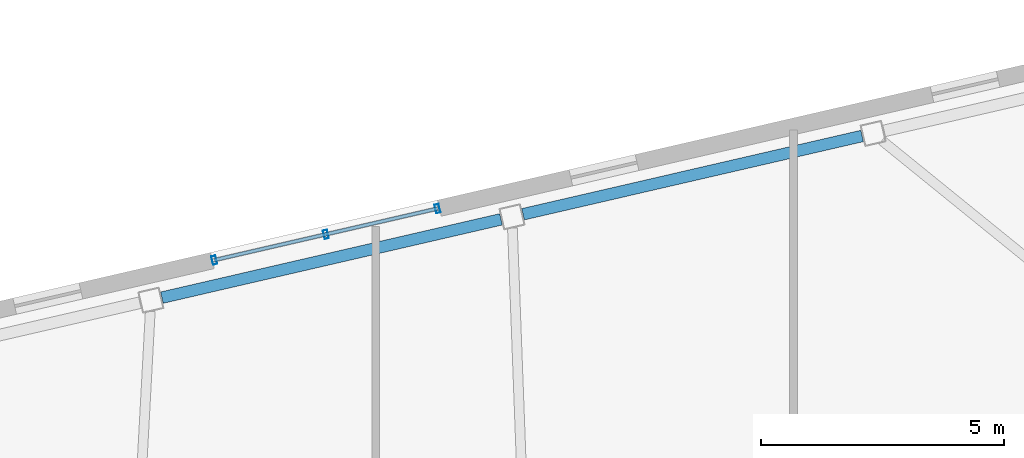
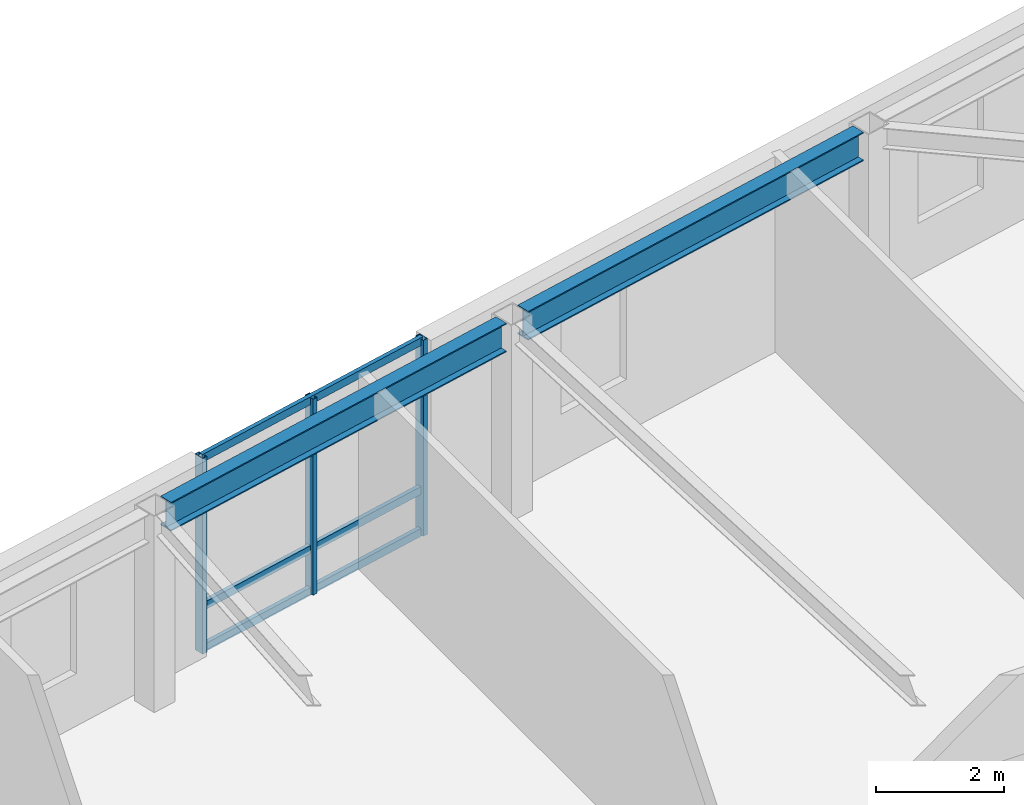
# One storey, part 14 of 24: 6 members, 2 beams, 1 element without a shape of its own.
"""IFC4 building model written with IfcOpenShell, lengths in metres."""

from ifc_helpers import new_model, si_unit, direction, frame, origin, origin_2d, place, context, subcontext, project, spatial, hollow_rectangle, i_section, extrude, material, layer, layer_set, material_profile, profile_set, type_object, element, aggregate, save


model = new_model("IFC4")

# Units and contexts
model_context = context("Model", 3, precision=1e-05, world=origin(), true_north=direction((0.0, 1.0)))
body_context = subcontext(model_context, "Body", "Model", "MODEL_VIEW")
ifc_project = project(units=[si_unit("LENGTHUNIT", "METRE"), si_unit("AREAUNIT", "SQUARE_METRE"), si_unit("VOLUMEUNIT", "CUBIC_METRE"), si_unit("PLANEANGLEUNIT", "RADIAN"), si_unit("MASSUNIT", "GRAM", prefix="KILO")], contexts=[model_context])

# Site, building, storey
site_placement = place(None, origin())
site = spatial("IfcSite", under=ifc_project, at=site_placement, CompositionType="ELEMENT")
building_placement = place(site_placement, origin())
building = spatial("IfcBuilding", under=site, at=building_placement, Name="Tavrogorsk Clinical Tower", CompositionType="ELEMENT")
storey_placement = place(building_placement, frame((0.0, 0.0, 325.0)))
storey = spatial("IfcBuildingStorey", under=building, at=storey_placement, Name="L76", CompositionType="ELEMENT", Elevation=325.0)

# Curtain wall, members
ifc_material_1 = material(Name="Anodised aluminium and triple IGU glazing", Category="aluminium")
ifc_layer = layer(ifc_material_1, 0.179931640625)
ifc_layer_set = layer_set([ifc_layer], Name="Anodised aluminium and triple IGU glazing")
curtain_wall_type = type_object("IfcCurtainWallType", Name="CW2_NorthSlot", PredefinedType="NOTDEFINED", material=ifc_layer_set)
curtain_wall_placement = place(storey_placement, origin())
curtain_wall = element("IfcCurtainWall", 1, at=curtain_wall_placement, inside=storey, type_object=curtain_wall_type, Name="L76 Curtain Wall CW-L76-N-SLOT-2", PredefinedType="NOTDEFINED")
ifc_material_2 = material(Name="Anodised aluminium alloy AW-6060", Category="aluminium")
ifc_material_profile_1 = material_profile(ifc_material_2, hollow_rectangle(XDim=0.090087890625, YDim=0.179931640625, WallThickness=0.00634765625, at=origin_2d()), Name="RHS-180x90x6.3")
ifc_profile_set_1 = profile_set([ifc_material_profile_1], Name="Anodised aluminium alloy AW-6060")
member_type_1 = type_object("IfcMemberType", Name="CwMullion_180x90", PredefinedType="MULLION", material=ifc_profile_set_1)
member_1_placement = place(storey_placement, frame((2.26904296875, 22.400634765625, 0.0), z_axis=(0.0, 0.0, 1.0), x_axis=(-0.974370092441, -0.224950934554, 0.0)))
member_1 = element("IfcMember", 2, at=member_1_placement, type_object=member_type_1, Name="CW-L76-N-SLOT-2 Mullion 1", PredefinedType="MULLION", context=body_context, shape_type="SweptSolid", body=[
    extrude(hollow_rectangle(XDim=0.090087890625, YDim=0.179931640625, WallThickness=0.00634765625, at=origin_2d()), origin(), (0.0, 0.0, 1.0), 3.739990234375),
])
member_2_placement = place(storey_placement, frame((-0.029541015625, 21.869873046875, 0.0), z_axis=(0.0, 0.0, 1.0), x_axis=(-0.974370092441, -0.224950934554, 0.0)))
member_2 = element("IfcMember", 3, at=member_2_placement, type_object=member_type_1, Name="CW-L76-N-SLOT-2 Mullion 2", PredefinedType="MULLION", context=body_context, shape_type="SweptSolid", body=[
    extrude(hollow_rectangle(XDim=0.090087890625, YDim=0.179931640625, WallThickness=0.00634765625, at=origin_2d()), origin(), (0.0, 0.0, 1.0), 3.739990234375),
])
member_3_placement = place(storey_placement, frame((-2.328125, 21.339111328125, 0.0), z_axis=(0.0, 0.0, 1.0), x_axis=(-0.974370092441, -0.224950934554, 0.0)))
member_3 = element("IfcMember", 4, at=member_3_placement, type_object=member_type_1, Name="CW-L76-N-SLOT-2 Mullion 3", PredefinedType="MULLION", context=body_context, shape_type="SweptSolid", body=[
    extrude(hollow_rectangle(XDim=0.090087890625, YDim=0.179931640625, WallThickness=0.00634765625, at=origin_2d()), origin(), (0.0, 0.0, 1.0), 3.739990234375),
])
ifc_material_3 = material(Name="Anodised aluminium alloy AW-6060", Category="aluminium")
ifc_material_profile_2 = material_profile(ifc_material_3, hollow_rectangle(XDim=0.074951171875, YDim=0.14990234375, WallThickness=0.0048828125, at=origin_2d()), Name="RHS-150x75x5")
ifc_profile_set_2 = profile_set([ifc_material_profile_2], Name="Anodised aluminium alloy AW-6060")
member_type_2 = type_object("IfcMemberType", Name="CwTransom_150x75", PredefinedType="USERDEFINED", material=ifc_profile_set_2)
member_4_placement = place(storey_placement, frame((2.26904296875, 22.400634765625, 0.050048828125), z_axis=(-0.974361535497, -0.224987995557, 0.0), x_axis=(0.224987995557, -0.974361535497, 0.0)))
member_4 = element("IfcMember", 5, at=member_4_placement, type_object=member_type_2, Name="CW-L76-N-SLOT-2 Transom 1", ObjectType="TRANSOM", PredefinedType="USERDEFINED", context=body_context, shape_type="SweptSolid", body=[
    extrude(hollow_rectangle(XDim=0.074951171875, YDim=0.14990234375, WallThickness=0.0048828125, at=origin_2d()), origin(), (0.0, 0.0, 1.0), 4.718017578125),
])
member_5_placement = place(storey_placement, frame((2.26904296875, 22.400634765625, 0.85009765625), z_axis=(-0.974361535497, -0.224987995557, 0.0), x_axis=(0.224987995557, -0.974361535497, 0.0)))
member_5 = element("IfcMember", 6, at=member_5_placement, type_object=member_type_2, Name="CW-L76-N-SLOT-2 Transom 2", ObjectType="TRANSOM", PredefinedType="USERDEFINED", context=body_context, shape_type="SweptSolid", body=[
    extrude(hollow_rectangle(XDim=0.074951171875, YDim=0.14990234375, WallThickness=0.0048828125, at=origin_2d()), origin(), (0.0, 0.0, 1.0), 4.718017578125),
])
member_6_placement = place(storey_placement, frame((2.26904296875, 22.400634765625, 3.68994140625), z_axis=(-0.974361535497, -0.224987995557, 0.0), x_axis=(0.224987995557, -0.974361535497, 0.0)))
member_6 = element("IfcMember", 7, at=member_6_placement, type_object=member_type_2, Name="CW-L76-N-SLOT-2 Transom 3", ObjectType="TRANSOM", PredefinedType="USERDEFINED", context=body_context, shape_type="SweptSolid", body=[
    extrude(hollow_rectangle(XDim=0.074951171875, YDim=0.14990234375, WallThickness=0.0048828125, at=origin_2d()), origin(), (0.0, 0.0, 1.0), 4.718017578125),
])
aggregate(curtain_wall, [member_1, member_2, member_3, member_4, member_5, member_6])

# Beams
ifc_material_4 = material(Name="Structural steel S390", Category="steel")
ifc_material_profile_3 = material_profile(ifc_material_4, i_section(OverallWidth=0.239990234375, OverallDepth=0.550048828125, WebThickness=0.013916015625, FlangeThickness=0.02197265625, at=origin_2d()), Name="B-550x240x14x22")
ifc_profile_set_3 = profile_set([ifc_material_profile_3], Name="Structural steel S390")
beam_type = type_object("IfcBeamType", Name="SpandrelBeam_B550", PredefinedType="SPANDREL", material=ifc_profile_set_3)
for number, where, z_axis, x_axis, name in (
    (8, (11.01611328125, 23.896484375, 3.465087890625), (-0.974369378592, -0.224954026551, 0.0), (0.224954026551, -0.974369378592, 0.0), "L76 Perimeter Spandrel N2-N3"),
    (9, (3.577392578125, 22.17919921875, 3.465087890625), (-0.974369378592, -0.224954026551, 0.0), (0.224954026551, -0.974369378592, 0.0), "L76 Perimeter Spandrel N3-N4"),
):
    element("IfcBeam", number, at=place(storey_placement, frame(where, z_axis=z_axis, x_axis=x_axis)), inside=storey, type_object=beam_type, Name=name, PredefinedType="SPANDREL", context=body_context, shape_type="SweptSolid", body=[
        extrude(i_section(OverallWidth=0.239990234375, OverallDepth=0.550048828125, WebThickness=0.013916015625, FlangeThickness=0.02197265625, at=origin_2d()), origin(), (0.0, 0.0, 1.0), 7.16845703125),
    ])

save(model, "model.ifc")
